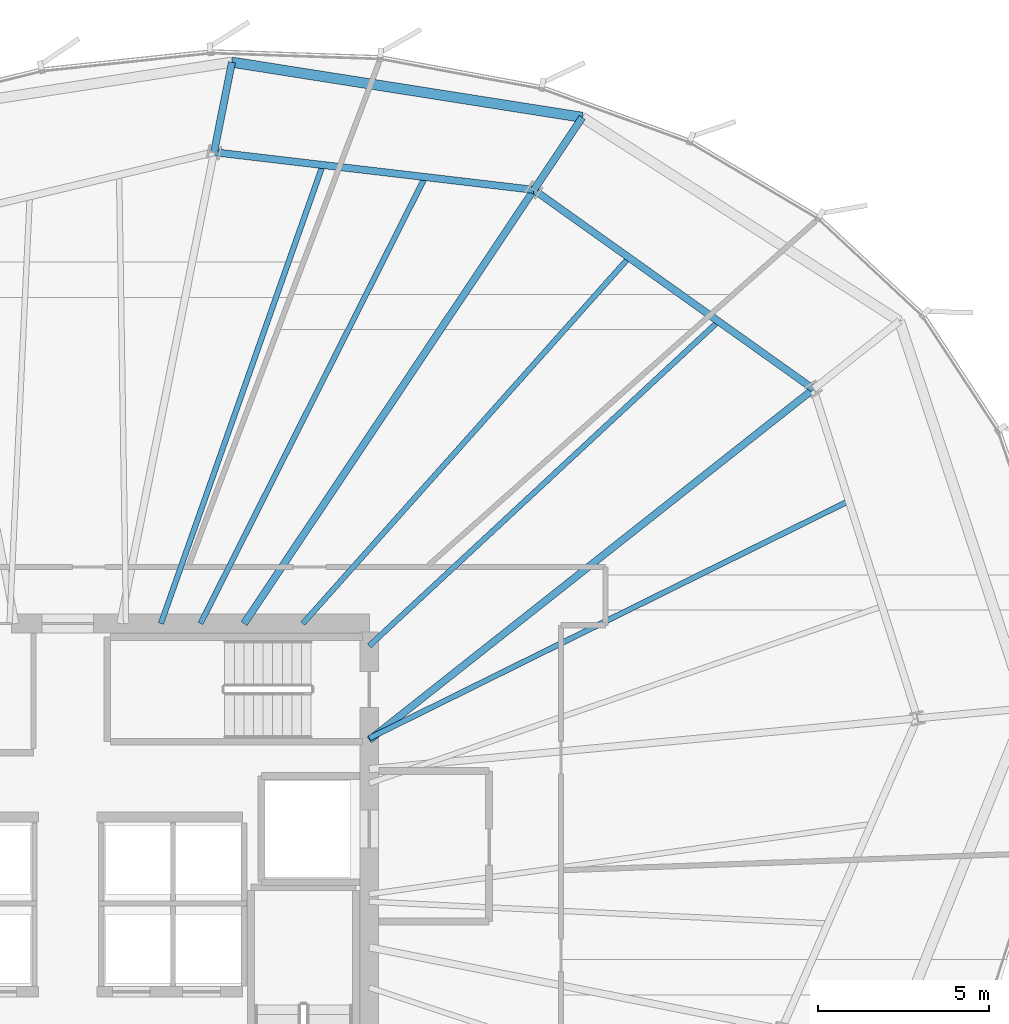
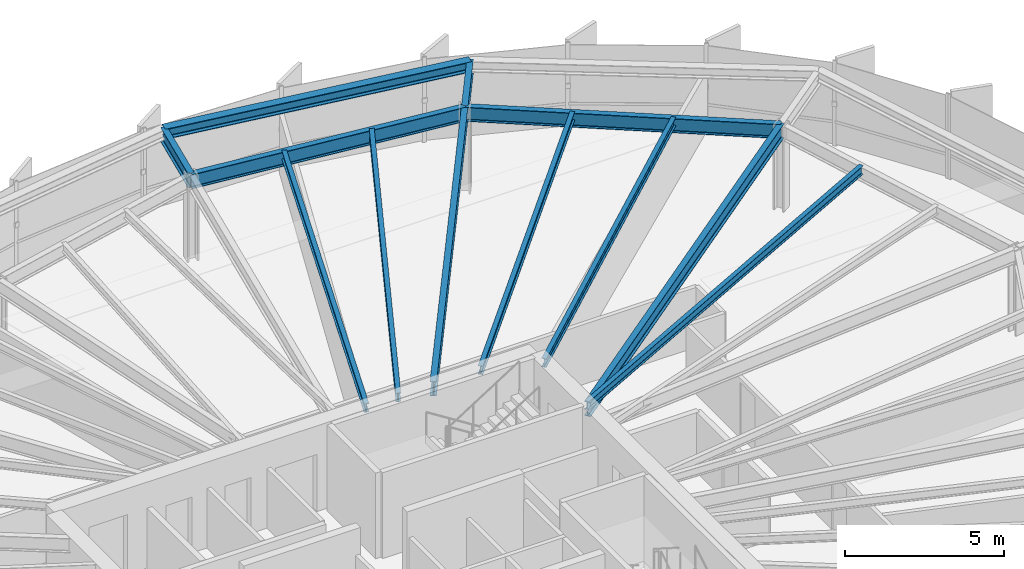
# One storey, part 24 of 35: 12 beams.
"""IFC4 building model written with IfcOpenShell, lengths in metres."""

import ifcopenshell
import ifcopenshell.guid

model = None  # the IFC model being written
_history = None  # IfcOwnerHistory: only IFC2X3 demands one
_inside = {}  # id of a spatial element -> (the spatial element, [elements in it])
_under = {}  # id of a project, library or spatial element -> (it, [spatial elements below it])
_declared = {}  # id of a project -> (the project, [libraries it declares])
_typed = {}  # id of a type object -> (the type object, [elements of that type])
_made_of = {}  # id of a material, layer set ... -> (it, [elements and type objects made of it])


def new_model(schema):
    """Start an empty IFC model of exactly this schema.

    Asked for "IFC4X3", IfcOpenShell would pick the latest addendum, in which some entities
    have other attributes; the version numbers below select the first issue.
    IFC2X3 requires an IfcOwnerHistory on every rooted entity: one is made here for all.
    """
    global model, _history
    if schema == "IFC4X3":
        model = ifcopenshell.file(schema_version=(4, 3, 0, 0))
    else:
        model = ifcopenshell.file(schema=schema)
    _inside.clear()
    _under.clear()
    _declared.clear()
    _typed.clear()
    _made_of.clear()
    _history = None
    if model.schema == "IFC2X3":
        org = make("IfcOrganization", Name="unknown")
        user = make(
            "IfcPersonAndOrganization",
            ThePerson=make("IfcPerson", FamilyName="unknown"),
            TheOrganization=org,
        )
        app = make(
            "IfcApplication",
            ApplicationDeveloper=org,
            Version="unknown",
            ApplicationFullName="unknown",
            ApplicationIdentifier="unknown",
        )
        _history = make(
            "IfcOwnerHistory",
            OwningUser=user,
            OwningApplication=app,
            ChangeAction="ADDED",
            CreationDate=0,
        )
    return model


def make(cls, **values):
    """One entity of the class cls with the attributes given. An attribute that is None is left unset."""
    return model.create_entity(
        cls, **{name: value for name, value in values.items() if value is not None}
    )


def rooted(cls, **values):
    """An entity with a GlobalId (a new one), such as an element, a storey or a relation."""
    return make(cls, GlobalId=ifcopenshell.guid.new(), OwnerHistory=_history, **values)


def si_unit(unit_type, name, prefix=None):
    """IfcSIUnit, for example si_unit("LENGTHUNIT", "METRE", prefix="MILLI")."""
    return make("IfcSIUnit", UnitType=unit_type, Prefix=prefix, Name=name)


def assignment(units):
    """IfcUnitAssignment: the units of a project."""
    return None if units is None else make("IfcUnitAssignment", Units=units)


def point(xyz):
    """IfcCartesianPoint."""
    return None if xyz is None else make("IfcCartesianPoint", Coordinates=xyz)


def direction(xyz):
    """IfcDirection."""
    return None if xyz is None else make("IfcDirection", DirectionRatios=xyz)


def frame(location, z_axis=None, x_axis=None):
    """IfcAxis2Placement3D, a coordinate frame: its origin and axes. An axis left out is left unset."""
    return make(
        "IfcAxis2Placement3D",
        Location=point(location),
        Axis=direction(z_axis),
        RefDirection=direction(x_axis),
    )


def frame_2d(location, x_axis=None):
    """IfcAxis2Placement2D, a coordinate frame in the plane: its origin and x axis."""
    return make(
        "IfcAxis2Placement2D", Location=point(location), RefDirection=direction(x_axis)
    )


def origin():
    """The frame at (0, 0, 0) with its axes left unset."""
    return frame((0.0, 0.0, 0.0))


def origin_2d():
    """The frame at (0, 0) in the plane with its x axis left unset."""
    return frame_2d((0.0, 0.0))


def place(relative_to, where):
    """IfcLocalPlacement: puts the frame where relative to a parent placement (None: the world)."""
    return make(
        "IfcLocalPlacement", PlacementRelTo=relative_to, RelativePlacement=where
    )


def context(
    kind, dimensions, precision=None, world=None, true_north=None, identifier=None
):
    """IfcGeometricRepresentationContext, for example the 3D "Model" context."""
    return make(
        "IfcGeometricRepresentationContext",
        ContextIdentifier=identifier,
        ContextType=kind,
        CoordinateSpaceDimension=dimensions,
        Precision=precision,
        WorldCoordinateSystem=world,
        TrueNorth=true_north,
    )


def subcontext(parent, identifier, kind, view, scale=None):
    """IfcGeometricRepresentationSubContext, for example "Body" below "Model"."""
    return make(
        "IfcGeometricRepresentationSubContext",
        ContextIdentifier=identifier,
        ContextType=kind,
        ParentContext=parent,
        TargetScale=scale,
        TargetView=view,
    )


def project(units=None, contexts=None):
    """IfcProject with its units and contexts."""
    return rooted(
        "IfcProject",
        Name="project",
        RepresentationContexts=contexts,
        UnitsInContext=assignment(units),
    )


def spatial(cls, under=None, at=None, **own):
    """A site, building, storey or space (cls), placed at a placement, below another one or the project."""
    s = rooted(cls, ObjectPlacement=at, **own)
    if under is not None:
        _under.setdefault(under.id(), (under, []))[1].append(s)
    return s


def profile(cls, at=None, kind="AREA", **sizes):
    """A parametric profile (cls). Its sizes go by their IFC names, for example OverallWidth=200.0."""
    return make(cls, ProfileType=kind, Position=at, **sizes)


def i_section(**sizes):
    """IfcIShapeProfileDef."""
    return profile("IfcIShapeProfileDef", **sizes)


def extrude(swept, where, along, depth):
    """IfcExtrudedAreaSolid: the profile swept, set in the frame where, extruded along a direction by depth."""
    return make(
        "IfcExtrudedAreaSolid",
        SweptArea=swept,
        Position=where,
        ExtrudedDirection=direction(along),
        Depth=depth,
    )


def shape(context_of_items, identifier, shape_type, items):
    """IfcShapeRepresentation: the items that make up one representation, for example the "Body"."""
    return make(
        "IfcShapeRepresentation",
        ContextOfItems=context_of_items,
        RepresentationIdentifier=identifier,
        RepresentationType=shape_type,
        Items=items,
    )


def source(mapping_origin, context_of_items, identifier, shape_type, items):
    """IfcRepresentationMap: a shape defined once, which mapped items show again and again."""
    return make(
        "IfcRepresentationMap",
        MappingOrigin=mapping_origin,
        MappedRepresentation=shape(context_of_items, identifier, shape_type, items),
    )


def transform(
    local_origin,
    x_axis=None,
    y_axis=None,
    z_axis=None,
    scale=None,
    scale2=None,
    scale3=None,
    uniform=True,
):
    """IfcCartesianTransformationOperator3D, or its non-uniform kind. x_axis, y_axis, z_axis: its Axis1, 2, 3."""
    if uniform:
        return make(
            "IfcCartesianTransformationOperator3D",
            Axis1=direction(x_axis),
            Axis2=direction(y_axis),
            LocalOrigin=point(local_origin),
            Scale=scale,
            Axis3=direction(z_axis),
        )
    return make(
        "IfcCartesianTransformationOperator3DnonUniform",
        Axis1=direction(x_axis),
        Axis2=direction(y_axis),
        LocalOrigin=point(local_origin),
        Scale=scale,
        Axis3=direction(z_axis),
        Scale2=scale2,
        Scale3=scale3,
    )


def mapped(mapping_source, mapping_target):
    """IfcMappedItem: shows the shape of a source again, moved by a transform."""
    return make(
        "IfcMappedItem", MappingSource=mapping_source, MappingTarget=mapping_target
    )


def material(Name=None, Category=None):
    """IfcMaterial."""
    return make("IfcMaterial", Name=Name, Category=Category)


def material_profile(
    of_material, cross_section, Name=None, Category=None, Priority=None
):
    """IfcMaterialProfile: a cross section and its material."""
    return make(
        "IfcMaterialProfile",
        Name=Name,
        Material=of_material,
        Profile=cross_section,
        Priority=Priority,
        Category=Category,
    )


def profile_set(profiles, Name=None, composite=None):
    """IfcMaterialProfileSet."""
    return make(
        "IfcMaterialProfileSet",
        Name=Name,
        MaterialProfiles=profiles,
        CompositeProfile=composite,
    )


def made_of(thing, what):
    """Note that an element or type object is made of a material, layer set ...; save() writes the relation."""
    if what is not None:
        _made_of.setdefault(what.id(), (what, []))[1].append(thing)
    return thing


def type_object(cls, material=None, **own):
    """A type object (cls), such as IfcWallType, which elements share."""
    return made_of(rooted(cls, **own), material)


def element(
    cls,
    number,
    at=None,
    inside=None,
    cuts=None,
    type_object=None,
    material=None,
    context=None,
    identifier="Body",
    shape_type=None,
    held_by="IfcProductDefinitionShape",
    body=None,
    shapes=None,
    **own,
):
    """One element of the class cls, such as IfcWall. Its Tag is "e" and its number.

    at: its placement. inside: the storey or other place that contains it. cuts: it is an
    opening in that element (IfcRelVoidsElement). A single representation is given by context,
    identifier, shape_type and body (its items); several are given by shapes. held_by: the class
    of the entity that holds the representations. save() writes the other relations.
    """
    e = rooted(cls, Tag="e%d" % number, ObjectPlacement=at, **own)
    if body is not None:
        shapes = [shape(context, identifier, shape_type, body)]
    if shapes is not None:
        e.Representation = make(held_by, Representations=shapes)
    if inside is not None:
        _inside.setdefault(inside.id(), (inside, []))[1].append(e)
    if cuts is not None:
        rooted(
            "IfcRelVoidsElement", RelatingBuildingElement=cuts, RelatedOpeningElement=e
        )
    if type_object is not None:
        _typed.setdefault(type_object.id(), (type_object, []))[1].append(e)
    return made_of(e, material)


def aggregate(whole, parts):
    """IfcRelAggregates: a whole, such as a stair, and the parts it consists of."""
    return rooted("IfcRelAggregates", RelatingObject=whole, RelatedObjects=parts)


def save(model, path):
    """Write the relations noted so far, then the file.

    IfcRelAggregates (storeys below a building ...), IfcRelContainedInSpatialStructure (elements
    in a storey), IfcRelDefinesByType, IfcRelAssociatesMaterial and IfcRelDeclares: one each for
    every whole, place, type object, material and project.
    """
    for whole, parts in _under.values():
        aggregate(whole, parts)
    for where, things in _inside.values():
        rooted(
            "IfcRelContainedInSpatialStructure",
            RelatedElements=things,
            RelatingStructure=where,
        )
    for kind, things in _typed.values():
        rooted("IfcRelDefinesByType", RelatedObjects=things, RelatingType=kind)
    for what, things in _made_of.values():
        rooted("IfcRelAssociatesMaterial", RelatedObjects=things, RelatingMaterial=what)
    for by, libraries in _declared.values():
        rooted("IfcRelDeclares", RelatingContext=by, RelatedDefinitions=libraries)
    model.write(path)


model = new_model("IFC4")

# Units and contexts
model_context = context("Model", 3, precision=1e-05, world=origin(), true_north=direction((0.0, 1.0)))
body_context = subcontext(model_context, "Body", "Model", "MODEL_VIEW")
ifc_project = project(units=[si_unit("LENGTHUNIT", "METRE"), si_unit("AREAUNIT", "SQUARE_METRE"), si_unit("VOLUMEUNIT", "CUBIC_METRE"), si_unit("PLANEANGLEUNIT", "RADIAN"), si_unit("MASSUNIT", "GRAM", prefix="KILO"), si_unit("THERMODYNAMICTEMPERATUREUNIT", "KELVIN")], contexts=[model_context])

# Site, building, storey
site_placement = place(None, origin())
site = spatial("IfcSite", under=ifc_project, at=site_placement, CompositionType="ELEMENT")
building_placement = place(site_placement, origin())
building = spatial("IfcBuilding", under=site, at=building_placement, Name="Kethvar Cultural Tower", CompositionType="ELEMENT")
storey_placement = place(building_placement, frame((0.0, 0.0, 139.449951171875)))
storey = spatial("IfcBuildingStorey", under=building, at=storey_placement, Name="L35", CompositionType="ELEMENT", Elevation=139.449951171875)

# Beams
ifc_material = material(Name="Steel S355J2", Category="steel")
ifc_material_profile_1 = material_profile(ifc_material, i_section(OverallWidth=0.2099609375, OverallDepth=0.550048828125, WebThickness=0.010986328125, FlangeThickness=0.01708984375, FilletRadius=0.02392578125, at=origin_2d()), Name="Steel S355J2 — IPE550")
ifc_profile_set_1 = profile_set([ifc_material_profile_1], Name="Steel S355J2 — IPE550")
beam_type_1 = type_object("IfcBeamType", Name="BM-IPE550", PredefinedType="BEAM", material=ifc_profile_set_1)
shared_shape_1 = source(origin(), body_context, "Body", "SweptSolid", [
    extrude(i_section(OverallWidth=0.2099609375, OverallDepth=0.550048828125, WebThickness=0.010986328125, FlangeThickness=0.01708984375, FilletRadius=0.02392578125, at=origin_2d()), origin(), (0.0, 0.0, 1.0), 16.527099609375),
])
beam_1_placement = place(storey_placement, frame((55.60009765625, 32.10009765625, 3.02294921875), z_axis=(0.784681939021, 0.619898584105, 0.0), x_axis=(-0.619898584105, 0.784681939021, 0.0)))
element("IfcBeam", 1, at=beam_1_placement, inside=storey, type_object=beam_type_1, Name="L35 Primary Radial Beam RB-02", PredefinedType="BEAM", context=body_context, shape_type="MappedRepresentation", body=[
    mapped(shared_shape_1, transform((0.0, 0.0, 0.0), scale=1.0)),
])
shared_shape_2 = source(origin(), body_context, "Body", "SweptSolid", [
    extrude(i_section(OverallWidth=0.2099609375, OverallDepth=0.550048828125, WebThickness=0.010986328125, FlangeThickness=0.01708984375, FilletRadius=0.02392578125, at=origin_2d()), origin(), (0.0, 0.0, 1.0), 15.22705078125),
])
beam_2_placement = place(storey_placement, frame((51.945068359375, 35.5, 3.02294921875), z_axis=(0.555569390778, 0.83147017507, 0.0), x_axis=(-0.83147017507, 0.555569390778, 0.0)))
element("IfcBeam", 2, at=beam_2_placement, inside=storey, type_object=beam_type_1, Name="L35 Primary Radial Beam RB-03", PredefinedType="BEAM", context=body_context, shape_type="MappedRepresentation", body=[
    mapped(shared_shape_2, transform((0.0, 0.0, 0.0), scale=1.0)),
])
ifc_material_profile_2 = material_profile(ifc_material, i_section(OverallWidth=0.159912109375, OverallDepth=0.330078125, WebThickness=0.007568359375, FlangeThickness=0.011474609375, FilletRadius=0.01806640625, at=origin_2d()), Name="Steel S355J2 — IPE330")
ifc_profile_set_2 = profile_set([ifc_material_profile_2], Name="Steel S355J2 — IPE330")
beam_type_2 = type_object("IfcBeamType", Name="BM-J330", PredefinedType="JOIST", material=ifc_profile_set_2)
shared_shape_3 = source(origin(), body_context, "Body", "SweptSolid", [
    extrude(i_section(OverallWidth=0.159912109375, OverallDepth=0.330078125, WebThickness=0.007568359375, FlangeThickness=0.011474609375, FilletRadius=0.01806640625, at=origin_2d()), origin(), (0.0, 0.0, 1.0), 15.618896484375),
])
beam_3_placement = place(storey_placement, frame((55.60009765625, 32.152587890625, 3.133056640625), z_axis=(0.896344638992, 0.443357968408, 0.0), x_axis=(-0.443357968408, 0.896344638992, 0.0)))
element("IfcBeam", 3, at=beam_3_placement, inside=storey, type_object=beam_type_2, Name="L35 Composite Floor Joist J-01B", PredefinedType="JOIST", context=body_context, shape_type="MappedRepresentation", body=[
    mapped(shared_shape_3, transform((0.0, 0.0, 0.0), scale=1.0)),
])
shared_shape_4 = source(origin(), body_context, "Body", "SweptSolid", [
    extrude(i_section(OverallWidth=0.2099609375, OverallDepth=0.550048828125, WebThickness=0.010986328125, FlangeThickness=0.01708984375, FilletRadius=0.02392578125, at=origin_2d()), origin(), (0.0, 0.0, 1.0), 10.0234375),
])
beam_4_placement = place(storey_placement, frame((68.568603515625, 42.34521484375, 3.02294921875), z_axis=(-0.814470106239, 0.580205520521, 0.0), x_axis=(-0.580205520521, -0.814470106239, 0.0)))
element("IfcBeam", 4, at=beam_4_placement, inside=storey, type_object=beam_type_1, Name="L35 Column Ring Tie Beam CR-02", PredefinedType="BEAM", context=body_context, shape_type="MappedRepresentation", body=[
    mapped(shared_shape_4, transform((0.0, 0.0, 0.0), scale=1.0)),
])
shared_shape_5 = source(origin(), body_context, "Body", "SweptSolid", [
    extrude(i_section(OverallWidth=0.159912109375, OverallDepth=0.330078125, WebThickness=0.007568359375, FlangeThickness=0.011474609375, FilletRadius=0.01806640625, at=origin_2d()), origin(), (0.0, 0.0, 1.0), 13.91455078125),
])
beam_5_placement = place(storey_placement, frame((55.60009765625, 34.85009765625, 3.133056640625), z_axis=(0.732512843328, 0.680753211054, 0.0), x_axis=(-0.680753211054, 0.732512843328, 0.0)))
element("IfcBeam", 5, at=beam_5_placement, inside=storey, type_object=beam_type_2, Name="L35 Composite Floor Joist J-02A", PredefinedType="JOIST", context=body_context, shape_type="MappedRepresentation", body=[
    mapped(shared_shape_5, transform((0.0, 0.0, 0.0), scale=1.0)),
])
shared_shape_6 = source(origin(), body_context, "Body", "SweptSolid", [
    extrude(i_section(OverallWidth=0.159912109375, OverallDepth=0.330078125, WebThickness=0.007568359375, FlangeThickness=0.011474609375, FilletRadius=0.01806640625, at=origin_2d()), origin(), (0.0, 0.0, 1.0), 14.3095703125),
])
beam_6_placement = place(storey_placement, frame((53.660888671875, 35.5, 3.133056640625), z_axis=(0.665261381663, 0.746610537073, 0.0), x_axis=(-0.746610537073, 0.665261381663, 0.0)))
element("IfcBeam", 6, at=beam_6_placement, inside=storey, type_object=beam_type_2, Name="L35 Composite Floor Joist J-02B", PredefinedType="JOIST", context=body_context, shape_type="MappedRepresentation", body=[
    mapped(shared_shape_6, transform((0.0, 0.0, 0.0), scale=1.0)),
])
shared_shape_7 = source(origin(), body_context, "Body", "SweptSolid", [
    extrude(i_section(OverallWidth=0.2099609375, OverallDepth=0.550048828125, WebThickness=0.010986328125, FlangeThickness=0.01708984375, FilletRadius=0.02392578125, at=origin_2d()), origin(), (0.0, 0.0, 1.0), 9.400634765625),
])
beam_7_placement = place(storey_placement, frame((60.40478515625, 48.160888671875, 3.02294921875), z_axis=(-0.993150427046, 0.116842754407, 0.0), x_axis=(-0.116842754407, -0.993150427046, 0.0)))
element("IfcBeam", 7, at=beam_7_placement, inside=storey, type_object=beam_type_1, Name="L35 Column Ring Tie Beam CR-03", PredefinedType="BEAM", context=body_context, shape_type="MappedRepresentation", body=[
    mapped(shared_shape_7, transform((0.0, 0.0, 0.0), scale=1.0)),
])
shared_shape_8 = source(origin(), body_context, "Body", "SweptSolid", [
    extrude(i_section(OverallWidth=0.159912109375, OverallDepth=0.330078125, WebThickness=0.007568359375, FlangeThickness=0.011474609375, FilletRadius=0.01806640625, at=origin_2d()), origin(), (0.0, 0.0, 1.0), 14.590576171875),
])
beam_8_placement = place(storey_placement, frame((50.673583984375, 35.5, 3.133056640625), z_axis=(0.449394228778, 0.893333547529, 0.0), x_axis=(-0.893333547529, 0.449394228778, 0.0)))
element("IfcBeam", 8, at=beam_8_placement, inside=storey, type_object=beam_type_2, Name="L35 Composite Floor Joist J-03A", PredefinedType="JOIST", context=body_context, shape_type="MappedRepresentation", body=[
    mapped(shared_shape_8, transform((0.0, 0.0, 0.0), scale=1.0)),
])
shared_shape_9 = source(origin(), body_context, "Body", "SweptSolid", [
    extrude(i_section(OverallWidth=0.159912109375, OverallDepth=0.330078125, WebThickness=0.007568359375, FlangeThickness=0.011474609375, FilletRadius=0.01806640625, at=origin_2d()), origin(), (0.0, 0.0, 1.0), 14.1953125),
])
beam_9_placement = place(storey_placement, frame((49.517822265625, 35.5, 3.133056640625), z_axis=(0.332865098769, 0.942974456717, 0.0), x_axis=(-0.942974456717, 0.332865098769, 0.0)))
element("IfcBeam", 9, at=beam_9_placement, inside=storey, type_object=beam_type_2, Name="L35 Composite Floor Joist J-03B", PredefinedType="JOIST", context=body_context, shape_type="MappedRepresentation", body=[
    mapped(shared_shape_9, transform((0.0, 0.0, 0.0), scale=1.0)),
])
shared_shape_10 = source(origin(), body_context, "Body", "SweptSolid", [
    extrude(i_section(OverallWidth=0.2099609375, OverallDepth=0.550048828125, WebThickness=0.010986328125, FlangeThickness=0.01708984375, FilletRadius=0.02392578125, at=origin_2d()), origin(), (0.0, 0.0, 1.0), 2.5458984375),
])
beam_10_placement = place(storey_placement, frame((60.40478515625, 48.160888671875, 3.02294921875), z_axis=(0.555518721918, 0.831504028612, 0.0), x_axis=(-0.831504028612, 0.555518721918, 0.0)))
element("IfcBeam", 10, at=beam_10_placement, inside=storey, type_object=beam_type_1, Name="L35 Perimeter Cantilever Beam RC-03", PredefinedType="BEAM", context=body_context, shape_type="MappedRepresentation", body=[
    mapped(shared_shape_10, transform((0.0, 0.0, 0.0), scale=1.0)),
])
shared_shape_11 = source(origin(), body_context, "Body", "SweptSolid", [
    extrude(i_section(OverallWidth=0.2099609375, OverallDepth=0.550048828125, WebThickness=0.010986328125, FlangeThickness=0.01708984375, FilletRadius=0.02392578125, at=origin_2d()), origin(), (0.0, 0.0, 1.0), 2.6796875),
])
beam_11_placement = place(storey_placement, frame((51.068603515625, 49.25927734375, 3.02294921875), z_axis=(0.195064762621, 0.980790364137, 0.0), x_axis=(-0.980790364137, 0.195064762621, 0.0)))
element("IfcBeam", 11, at=beam_11_placement, inside=storey, type_object=beam_type_1, Name="L35 Perimeter Cantilever Beam RC-04", PredefinedType="BEAM", context=body_context, shape_type="MappedRepresentation", body=[
    mapped(shared_shape_11, transform((0.0, 0.0, 0.0), scale=1.0)),
])
ifc_material_profile_3 = material_profile(ifc_material, i_section(OverallWidth=0.300048828125, OverallDepth=0.39990234375, WebThickness=0.013427734375, FlangeThickness=0.02392578125, FilletRadius=0.027099609375, at=origin_2d()), Name="Steel S355J2 — HEB400")
ifc_profile_set_3 = profile_set([ifc_material_profile_3], Name="Steel S355J2 — HEB400")
beam_type_3 = type_object("IfcBeamType", Name="BM-SP400", PredefinedType="SPANDREL", material=ifc_profile_set_3)
shared_shape_12 = source(origin(), body_context, "Body", "SweptSolid", [
    extrude(i_section(OverallWidth=0.300048828125, OverallDepth=0.39990234375, WebThickness=0.013427734375, FlangeThickness=0.02392578125, FilletRadius=0.027099609375, at=origin_2d()), origin(), (0.0, 0.0, 1.0), 10.353759765625),
])
beam_12_placement = place(storey_placement, frame((61.819091796875, 50.27783203125, 3.09814453125), z_axis=(-0.987841609666, 0.155463674899, 0.0), x_axis=(-0.155463674899, -0.987841609666, 0.0)))
element("IfcBeam", 12, at=beam_12_placement, inside=storey, type_object=beam_type_3, Name="L35 Perimeter Spandrel Beam SP-03", PredefinedType="SPANDREL", context=body_context, shape_type="MappedRepresentation", body=[
    mapped(shared_shape_12, transform((0.0, 0.0, 0.0), scale=1.0)),
])

save(model, "model.ifc")
